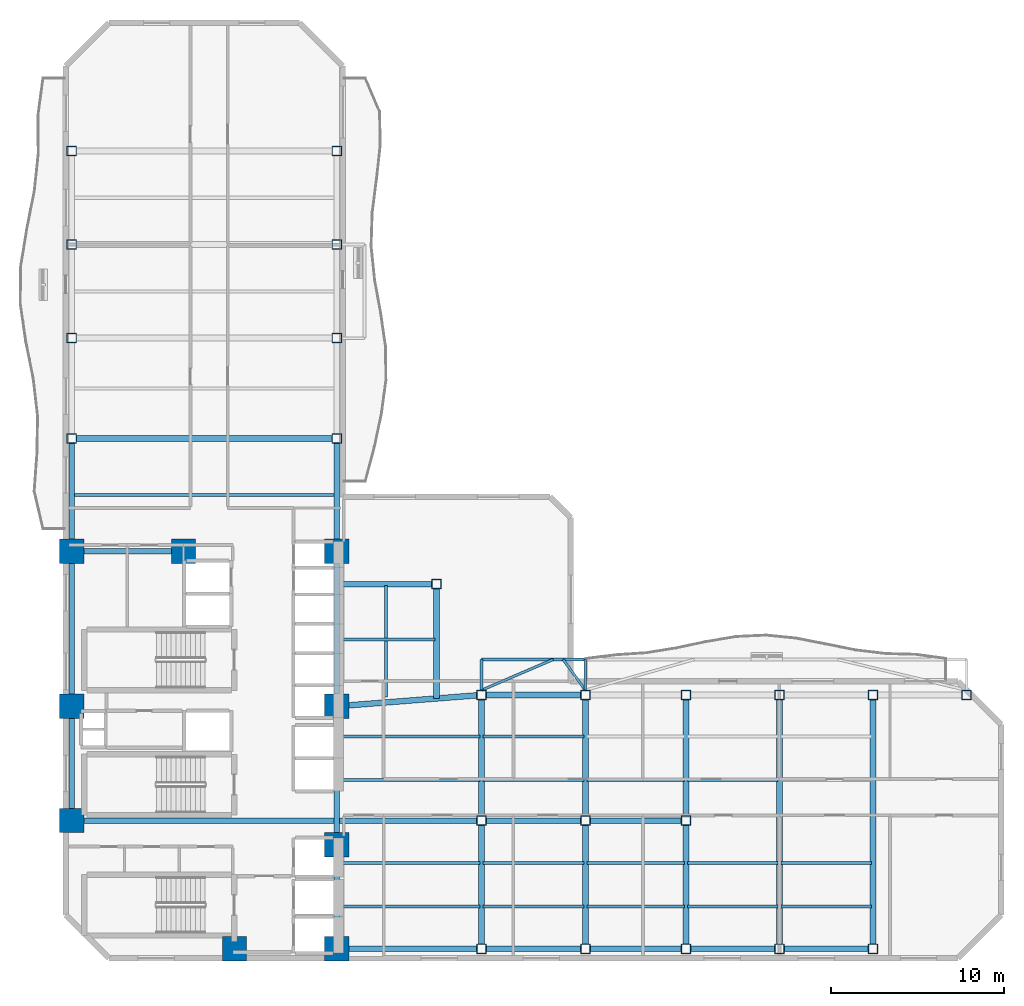
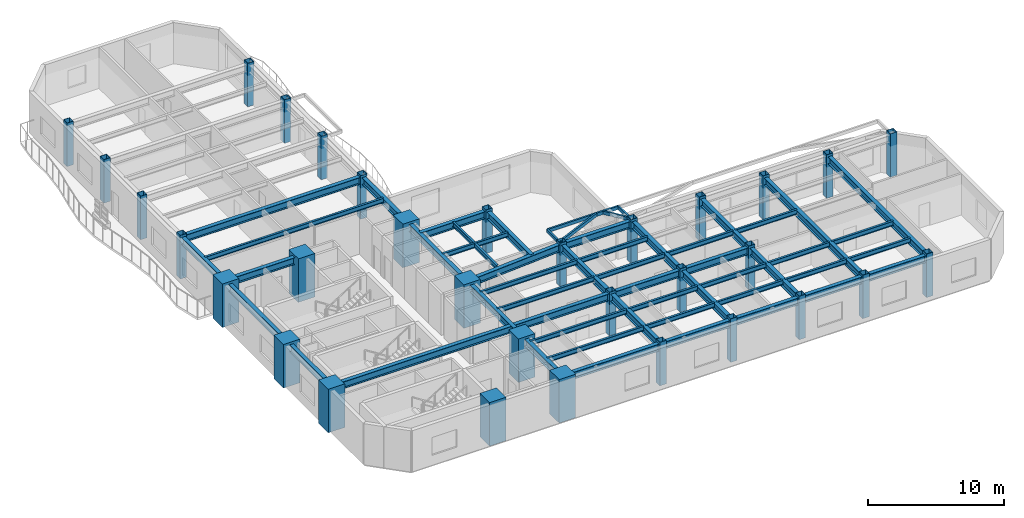
# One storey, part 1 of 10: 53 beams, 32 columns.
"""IFC4 building model written with IfcOpenShell, lengths in metres."""

from ifc_helpers import new_model, si_unit, direction, frame, origin, origin_2d, place, context, subcontext, project, spatial, rectangle, hollow_rectangle, i_section, extrude, material, material_profile, profile_set, type_object, element, save


model = new_model("IFC4")

# Units and contexts
model_context = context("Model", 3, precision=1e-05, world=origin(), true_north=direction((0.0, 1.0)))
body_context = subcontext(model_context, "Body", "Model", "MODEL_VIEW")
ifc_project = project(units=[si_unit("LENGTHUNIT", "METRE"), si_unit("AREAUNIT", "SQUARE_METRE"), si_unit("VOLUMEUNIT", "CUBIC_METRE"), si_unit("PLANEANGLEUNIT", "RADIAN"), si_unit("MASSUNIT", "GRAM", prefix="KILO")], contexts=[model_context])

# Site, building, storey
site_placement = place(None, origin())
site = spatial("IfcSite", under=ifc_project, at=site_placement, CompositionType="ELEMENT")
building_placement = place(site_placement, origin())
building = spatial("IfcBuilding", under=site, at=building_placement, Name="Mawjaban Terraces University", CompositionType="ELEMENT")
storey_placement = place(building_placement, frame((0.0, 0.0, 66.10009765625)))
storey = spatial("IfcBuildingStorey", under=building, at=storey_placement, Name="L15", CompositionType="ELEMENT", Elevation=66.10009765625)

# Columns
ifc_material_1 = material(Name="Concrete C70/85", Category="concrete")
ifc_material_profile_1 = material_profile(ifc_material_1, rectangle(XDim=1.39990234375, YDim=1.39990234375, at=origin_2d()), Name="RC1400X1400")
ifc_profile_set_1 = profile_set([ifc_material_profile_1], Name="Concrete C70/85")
column_type_1 = type_object("IfcColumnType", Name="Col_RC1400X1400", PredefinedType="COLUMN", material=ifc_profile_set_1)
for number, where, z_axis, x_axis, name in (
    (1, (31.75, 0.550048828125, 0.0), (0.0, 0.0, 1.0), (1.0, 0.0, 0.0), "L15 Column CC2"),
    (2, (37.64990234375, 0.550048828125, 0.0), (0.0, 0.0, 1.0), (1.0, 0.0, 0.0), "L15 Column CC3"),
    (3, (22.35009765625, 7.949951171875, 0.0), (0.0, 0.0, 1.0), (1.0, 0.0, 0.0), "L15 Column CC4"),
    (4, (37.64990234375, 6.550048828125, 0.0), (0.0, 0.0, 1.0), (1.0, 0.0, 0.0), "L15 Column CC5"),
    (5, (22.35009765625, 14.550048828125, 0.0), (0.0, 0.0, 1.0), (1.0, 0.0, 0.0), "L15 Column CC6"),
    (6, (37.64990234375, 14.550048828125, 0.0), (0.0, 0.0, 1.0), (1.0, 0.0, 0.0), "L15 Column CC7"),
    (7, (22.35009765625, 23.5, 0.0), (0.0, 0.0, 1.0), (1.0, 0.0, 0.0), "L15 Column CC8"),
    (8, (28.800048828125, 23.5, 0.0), (0.0, 0.0, 1.0), (1.0, 0.0, 0.0), "L15 Column CC9"),
    (9, (37.64990234375, 23.5, 0.0), (0.0, 0.0, 1.0), (1.0, 0.0, 0.0), "L15 Column CC10"),
):
    element("IfcColumn", number, at=place(storey_placement, frame(where, z_axis=z_axis, x_axis=x_axis)), inside=storey, type_object=column_type_1, Name=name, PredefinedType="COLUMN", context=body_context, shape_type="SweptSolid", body=[
        extrude(rectangle(XDim=1.39990234375, YDim=1.39990234375, at=origin_2d()), origin(), (0.0, 0.0, 1.0), 3.89990234375),
    ])
ifc_material_2 = material(Name="Steel EN 10210-1 S355J2H", Category="steel")
ifc_material_profile_2 = material_profile(ifc_material_2, hollow_rectangle(XDim=0.550048828125, YDim=0.550048828125, WallThickness=0.02490234375, at=origin_2d()), Name="SHS550X550X25")
ifc_profile_set_2 = profile_set([ifc_material_profile_2], Name="Steel EN 10210-1 S355J2H")
column_type_2 = type_object("IfcColumnType", Name="Col_SHS550X550X25", PredefinedType="COLUMN", material=ifc_profile_set_2)
for number, where, z_axis, x_axis, name in (
    (10, (46.0, 0.550048828125, 0.0), (0.0, 0.0, 1.0), (1.0, 0.0, 0.0), "L15 Column TE-460-005"),
    (11, (46.0, 7.949951171875, 0.0), (0.0, 0.0, 1.0), (1.0, 0.0, 0.0), "L15 Column TE-460-080"),
    (12, (46.0, 15.199951171875, 0.0), (0.0, 0.0, 1.0), (1.0, 0.0, 0.0), "L15 Column TE-460-152"),
    (13, (52.0, 0.550048828125, 0.0), (0.0, 0.0, 1.0), (1.0, 0.0, 0.0), "L15 Column TE-520-005"),
    (14, (52.0, 7.949951171875, 0.0), (0.0, 0.0, 1.0), (1.0, 0.0, 0.0), "L15 Column TE-520-080"),
    (15, (52.0, 15.199951171875, 0.0), (0.0, 0.0, 1.0), (1.0, 0.0, 0.0), "L15 Column TE-520-152"),
    (16, (57.800048828125, 0.550048828125, 0.0), (0.0, 0.0, 1.0), (1.0, 0.0, 0.0), "L15 Column TE-578-005"),
    (17, (57.800048828125, 7.949951171875, 0.0), (0.0, 0.0, 1.0), (1.0, 0.0, 0.0), "L15 Column TE-578-080"),
    (18, (57.800048828125, 15.199951171875, 0.0), (0.0, 0.0, 1.0), (1.0, 0.0, 0.0), "L15 Column TE-578-152"),
    (19, (63.199951171875, 0.550048828125, 0.0), (0.0, 0.0, 1.0), (1.0, 0.0, 0.0), "L15 Column TE-632-005"),
    (20, (63.199951171875, 15.199951171875, 0.0), (0.0, 0.0, 1.0), (1.0, 0.0, 0.0), "L15 Column TE-632-152"),
    (21, (68.60009765625, 0.550048828125, 0.0), (0.0, 0.0, 1.0), (1.0, 0.0, 0.0), "L15 Column TE-686-005"),
    (22, (68.60009765625, 15.199951171875, 0.0), (0.0, 0.0, 1.0), (1.0, 0.0, 0.0), "L15 Column TE-686-152"),
    (23, (74.0, 15.199951171875, 0.0), (0.0, 0.0, 1.0), (1.0, 0.0, 0.0), "L15 Column TE-740-152"),
    (24, (22.35009765625, 30.0, 0.0), (0.0, 0.0, 1.0), (1.0, 0.0, 0.0), "L15 Column TN-223-300"),
    (25, (37.64990234375, 30.0, 0.0), (0.0, 0.0, 1.0), (1.0, 0.0, 0.0), "L15 Column TN-376-300"),
    (26, (22.35009765625, 35.800048828125, 0.0), (0.0, 0.0, 1.0), (1.0, 0.0, 0.0), "L15 Column TN-223-358"),
    (27, (37.64990234375, 35.800048828125, 0.0), (0.0, 0.0, 1.0), (1.0, 0.0, 0.0), "L15 Column TN-376-358"),
    (28, (22.35009765625, 41.199951171875, 0.0), (0.0, 0.0, 1.0), (1.0, 0.0, 0.0), "L15 Column TN-223-412"),
    (29, (37.64990234375, 41.199951171875, 0.0), (0.0, 0.0, 1.0), (1.0, 0.0, 0.0), "L15 Column TN-376-412"),
    (30, (22.35009765625, 46.60009765625, 0.0), (0.0, 0.0, 1.0), (1.0, 0.0, 0.0), "L15 Column TN-223-466"),
    (31, (37.64990234375, 46.60009765625, 0.0), (0.0, 0.0, 1.0), (1.0, 0.0, 0.0), "L15 Column TN-376-466"),
    (32, (43.39990234375, 21.60009765625, 0.0), (0.0, 0.0, 1.0), (1.0, 0.0, 0.0), "L15 Column TS-434-216"),
):
    element("IfcColumn", number, at=place(storey_placement, frame(where, z_axis=z_axis, x_axis=x_axis)), inside=storey, type_object=column_type_2, Name=name, PredefinedType="COLUMN", context=body_context, shape_type="SweptSolid", body=[
        extrude(hollow_rectangle(XDim=0.550048828125, YDim=0.550048828125, WallThickness=0.02490234375, at=origin_2d()), origin(), (0.0, 0.0, 1.0), 3.89990234375),
    ])

# Beams
ifc_material_profile_3 = material_profile(ifc_material_2, hollow_rectangle(XDim=0.14990234375, YDim=0.300048828125, WallThickness=0.012451171875, at=origin_2d()), Name="RHS300X150X12.5")
ifc_profile_set_3 = profile_set([ifc_material_profile_3], Name="Steel EN 10210-1 S355J2H")
beam_type_1 = type_object("IfcBeamType", Name="BalconyCantileverSpandrel_RHS", PredefinedType="SPANDREL", material=ifc_profile_set_3)
for number, where, z_axis, x_axis, name in (
    (33, (52.0, 15.47509765625, 3.539794921875), (0.0, 1.0, 0.0), (-1.0, 0.0, 0.0), "L15 Exterior Outrigger BAL-L16-N.1"),
    (34, (46.0, 15.47509765625, 3.539794921875), (0.0, 1.0, 0.0), (-1.0, 0.0, 0.0), "L15 Exterior Outrigger TER-L16-CLIMB.1"),
):
    element("IfcBeam", number, at=place(storey_placement, frame(where, z_axis=z_axis, x_axis=x_axis)), inside=storey, type_object=beam_type_1, Name=name, PredefinedType="SPANDREL", context=body_context, shape_type="SweptSolid", body=[
        extrude(hollow_rectangle(XDim=0.14990234375, YDim=0.300048828125, WallThickness=0.012451171875, at=origin_2d()), origin(), (0.0, 0.0, 1.0), 1.77490234375),
    ])
beam_1_placement = place(storey_placement, frame((46.0, 17.25, 3.539794921875), z_axis=(1.0, 0.0, 0.0), x_axis=(0.0, 1.0, 0.0)))
element("IfcBeam", 35, at=beam_1_placement, inside=storey, type_object=beam_type_1, Name="L15 Exterior Edge Spandrel TER-L16-CLIMB", PredefinedType="SPANDREL", context=body_context, shape_type="SweptSolid", body=[
    extrude(hollow_rectangle(XDim=0.14990234375, YDim=0.300048828125, WallThickness=0.012451171875, at=origin_2d()), origin(), (0.0, 0.0, 1.0), 6.0),
])
beam_2_placement = place(storey_placement, frame((46.0, 15.47509765625, 3.539794921875), z_axis=(0.918923185787, 0.394436533074, 0.0), x_axis=(-0.394436533074, 0.918923185787, 0.0)))
element("IfcBeam", 36, at=beam_2_placement, inside=storey, type_object=beam_type_1, Name="L15 Exterior Diagonal Strut TER-L16-CLIMB.1", PredefinedType="SPANDREL", context=body_context, shape_type="SweptSolid", body=[
    extrude(hollow_rectangle(XDim=0.14990234375, YDim=0.300048828125, WallThickness=0.012451171875, at=origin_2d()), origin(), (0.0, 0.0, 1.0), 4.499755859375),
])
beam_3_placement = place(storey_placement, frame((52.0, 15.47509765625, 3.539794921875), z_axis=(-0.586401429164, 0.810020594722, 0.0), x_axis=(-0.810020594722, -0.586401429164, 0.0)))
element("IfcBeam", 37, at=beam_3_placement, inside=storey, type_object=beam_type_1, Name="L15 Exterior Diagonal Strut TER-L16-CLIMB.2", PredefinedType="SPANDREL", context=body_context, shape_type="SweptSolid", body=[
    extrude(hollow_rectangle(XDim=0.14990234375, YDim=0.300048828125, WallThickness=0.012451171875, at=origin_2d()), origin(), (0.0, 0.0, 1.0), 2.191162109375),
])
ifc_material_3 = material(Name="Steel ASTM A572 Grade 50", Category="steel")
ifc_material_profile_4 = material_profile(ifc_material_3, i_section(OverallWidth=0.3291015625, OverallDepth=0.635009765625, WebThickness=0.017822265625, FlangeThickness=0.031005859375, at=origin_2d()), Name="W610X241")
ifc_profile_set_4 = profile_set([ifc_material_profile_4], Name="Steel ASTM A572 Grade 50")
beam_type_2 = type_object("IfcBeamType", Name="Beam_B_W610X241", PredefinedType="BEAM", material=ifc_profile_set_4)
beam_4_placement = place(storey_placement, frame((38.35009765625, 0.550048828125, 3.372802734375), z_axis=(1.0, 0.0, 0.0), x_axis=(0.0, 1.0, 0.0)))
element("IfcBeam", 38, at=beam_4_placement, inside=storey, type_object=beam_type_2, Name="L15 Beam BM-L15-EW-01", PredefinedType="BEAM", context=body_context, shape_type="SweptSolid", body=[
    extrude(i_section(OverallWidth=0.3291015625, OverallDepth=0.635009765625, WebThickness=0.017822265625, FlangeThickness=0.031005859375, at=origin_2d()), origin(), (0.0, 0.0, 1.0), 7.375),
])
beam_5_placement = place(storey_placement, frame((46.27490234375, 0.550048828125, 3.372802734375), z_axis=(1.0, 0.0, 0.0), x_axis=(0.0, 1.0, 0.0)))
element("IfcBeam", 39, at=beam_5_placement, inside=storey, type_object=beam_type_2, Name="L15 Beam BM-L15-EW-02", PredefinedType="BEAM", context=body_context, shape_type="SweptSolid", body=[
    extrude(i_section(OverallWidth=0.3291015625, OverallDepth=0.635009765625, WebThickness=0.017822265625, FlangeThickness=0.031005859375, at=origin_2d()), origin(), (0.0, 0.0, 1.0), 5.4501953125),
])
beam_6_placement = place(storey_placement, frame((52.27490234375, 0.550048828125, 3.372802734375), z_axis=(1.0, 0.0, 0.0), x_axis=(0.0, 1.0, 0.0)))
element("IfcBeam", 40, at=beam_6_placement, inside=storey, type_object=beam_type_2, Name="L15 Beam BM-L15-EW-03", PredefinedType="BEAM", context=body_context, shape_type="SweptSolid", body=[
    extrude(i_section(OverallWidth=0.3291015625, OverallDepth=0.635009765625, WebThickness=0.017822265625, FlangeThickness=0.031005859375, at=origin_2d()), origin(), (0.0, 0.0, 1.0), 5.25),
])
beam_7_placement = place(storey_placement, frame((58.074951171875, 0.550048828125, 3.372802734375), z_axis=(1.0, 0.0, 0.0), x_axis=(0.0, 1.0, 0.0)))
element("IfcBeam", 41, at=beam_7_placement, inside=storey, type_object=beam_type_2, Name="L15 Beam BM-L15-EW-04", PredefinedType="BEAM", context=body_context, shape_type="SweptSolid", body=[
    extrude(i_section(OverallWidth=0.3291015625, OverallDepth=0.635009765625, WebThickness=0.017822265625, FlangeThickness=0.031005859375, at=origin_2d()), origin(), (0.0, 0.0, 1.0), 4.85009765625),
])
beam_8_placement = place(storey_placement, frame((63.47509765625, 0.550048828125, 3.372802734375), z_axis=(1.0, 0.0, 0.0), x_axis=(0.0, 1.0, 0.0)))
element("IfcBeam", 42, at=beam_8_placement, inside=storey, type_object=beam_type_2, Name="L15 Beam BM-L15-EW-05", PredefinedType="BEAM", context=body_context, shape_type="SweptSolid", body=[
    extrude(i_section(OverallWidth=0.3291015625, OverallDepth=0.635009765625, WebThickness=0.017822265625, FlangeThickness=0.031005859375, at=origin_2d()), origin(), (0.0, 0.0, 1.0), 4.849853515625),
])
beam_9_placement = place(storey_placement, frame((23.050048828125, 7.949951171875, 3.372802734375), z_axis=(1.0, 0.0, 0.0), x_axis=(0.0, 1.0, 0.0)))
element("IfcBeam", 43, at=beam_9_placement, inside=storey, type_object=beam_type_2, Name="L15 Beam BM-L15-EW-06", PredefinedType="BEAM", context=body_context, shape_type="SweptSolid", body=[
    extrude(i_section(OverallWidth=0.3291015625, OverallDepth=0.635009765625, WebThickness=0.017822265625, FlangeThickness=0.031005859375, at=origin_2d()), origin(), (0.0, 0.0, 1.0), 22.675048828125),
])
beam_10_placement = place(storey_placement, frame((46.27490234375, 7.949951171875, 3.372802734375), z_axis=(1.0, 0.0, 0.0), x_axis=(0.0, 1.0, 0.0)))
element("IfcBeam", 44, at=beam_10_placement, inside=storey, type_object=beam_type_2, Name="L15 Beam BM-L15-EW-07", PredefinedType="BEAM", context=body_context, shape_type="SweptSolid", body=[
    extrude(i_section(OverallWidth=0.3291015625, OverallDepth=0.635009765625, WebThickness=0.017822265625, FlangeThickness=0.031005859375, at=origin_2d()), origin(), (0.0, 0.0, 1.0), 5.4501953125),
])
beam_11_placement = place(storey_placement, frame((52.27490234375, 7.949951171875, 3.372802734375), z_axis=(1.0, 0.0, 0.0), x_axis=(0.0, 1.0, 0.0)))
element("IfcBeam", 45, at=beam_11_placement, inside=storey, type_object=beam_type_2, Name="L15 Beam BM-L15-EW-08", PredefinedType="BEAM", context=body_context, shape_type="SweptSolid", body=[
    extrude(i_section(OverallWidth=0.3291015625, OverallDepth=0.635009765625, WebThickness=0.017822265625, FlangeThickness=0.031005859375, at=origin_2d()), origin(), (0.0, 0.0, 1.0), 5.25),
])
beam_12_placement = place(storey_placement, frame((46.27490234375, 15.199951171875, 3.372802734375), z_axis=(1.0, 0.0, 0.0), x_axis=(0.0, 1.0, 0.0)))
element("IfcBeam", 46, at=beam_12_placement, inside=storey, type_object=beam_type_2, Name="L15 Beam BM-L15-EW-09", PredefinedType="BEAM", context=body_context, shape_type="SweptSolid", body=[
    extrude(i_section(OverallWidth=0.3291015625, OverallDepth=0.635009765625, WebThickness=0.017822265625, FlangeThickness=0.031005859375, at=origin_2d()), origin(), (0.0, 0.0, 1.0), 5.4501953125),
])
beam_13_placement = place(storey_placement, frame((23.050048828125, 23.5, 3.372802734375), z_axis=(1.0, 0.0, 0.0), x_axis=(0.0, 1.0, 0.0)))
element("IfcBeam", 47, at=beam_13_placement, inside=storey, type_object=beam_type_2, Name="L15 Beam BM-L15-EW-14", PredefinedType="BEAM", context=body_context, shape_type="SweptSolid", body=[
    extrude(i_section(OverallWidth=0.3291015625, OverallDepth=0.635009765625, WebThickness=0.017822265625, FlangeThickness=0.031005859375, at=origin_2d()), origin(), (0.0, 0.0, 1.0), 5.050048828125),
])
beam_14_placement = place(storey_placement, frame((22.625, 30.0, 3.372802734375), z_axis=(1.0, 0.0, 0.0), x_axis=(0.0, 1.0, 0.0)))
element("IfcBeam", 48, at=beam_14_placement, inside=storey, type_object=beam_type_2, Name="L15 Beam BM-L15-EW-15", PredefinedType="BEAM", context=body_context, shape_type="SweptSolid", body=[
    extrude(i_section(OverallWidth=0.3291015625, OverallDepth=0.635009765625, WebThickness=0.017822265625, FlangeThickness=0.031005859375, at=origin_2d()), origin(), (0.0, 0.0, 1.0), 14.75),
])
beam_15_placement = place(storey_placement, frame((22.35009765625, 8.64990234375, 3.372802734375), z_axis=(0.0, 1.0, 0.0), x_axis=(-1.0, 0.0, 0.0)))
element("IfcBeam", 49, at=beam_15_placement, inside=storey, type_object=beam_type_2, Name="L15 Beam BM-L15-NS-01", PredefinedType="BEAM", context=body_context, shape_type="SweptSolid", body=[
    extrude(i_section(OverallWidth=0.3291015625, OverallDepth=0.635009765625, WebThickness=0.017822265625, FlangeThickness=0.031005859375, at=origin_2d()), origin(), (0.0, 0.0, 1.0), 5.2001953125),
])
beam_16_placement = place(storey_placement, frame((22.35009765625, 15.25, 3.372802734375), z_axis=(0.0, 1.0, 0.0), x_axis=(-1.0, 0.0, 0.0)))
element("IfcBeam", 50, at=beam_16_placement, inside=storey, type_object=beam_type_2, Name="L15 Beam BM-L15-NS-02", PredefinedType="BEAM", context=body_context, shape_type="SweptSolid", body=[
    extrude(i_section(OverallWidth=0.3291015625, OverallDepth=0.635009765625, WebThickness=0.017822265625, FlangeThickness=0.031005859375, at=origin_2d()), origin(), (0.0, 0.0, 1.0), 7.550048828125),
])
beam_17_placement = place(storey_placement, frame((22.35009765625, 24.199951171875, 3.372802734375), z_axis=(0.0, 1.0, 0.0), x_axis=(-1.0, 0.0, 0.0)))
element("IfcBeam", 51, at=beam_17_placement, inside=storey, type_object=beam_type_2, Name="L15 Beam BM-L15-NS-03", PredefinedType="BEAM", context=body_context, shape_type="SweptSolid", body=[
    extrude(i_section(OverallWidth=0.3291015625, OverallDepth=0.635009765625, WebThickness=0.017822265625, FlangeThickness=0.031005859375, at=origin_2d()), origin(), (0.0, 0.0, 1.0), 5.525146484375),
])
beam_18_placement = place(storey_placement, frame((37.64990234375, 1.25, 3.372802734375), z_axis=(0.0, 1.0, 0.0), x_axis=(-1.0, 0.0, 0.0)))
element("IfcBeam", 52, at=beam_18_placement, inside=storey, type_object=beam_type_2, Name="L15 Beam BM-L15-NS-07", PredefinedType="BEAM", context=body_context, shape_type="SweptSolid", body=[
    extrude(i_section(OverallWidth=0.3291015625, OverallDepth=0.635009765625, WebThickness=0.017822265625, FlangeThickness=0.031005859375, at=origin_2d()), origin(), (0.0, 0.0, 1.0), 4.60009765625),
])
beam_19_placement = place(storey_placement, frame((37.64990234375, 7.25, 3.372802734375), z_axis=(0.0, 1.0, 0.0), x_axis=(-1.0, 0.0, 0.0)))
element("IfcBeam", 53, at=beam_19_placement, inside=storey, type_object=beam_type_2, Name="L15 Beam BM-L15-NS-08", PredefinedType="BEAM", context=body_context, shape_type="SweptSolid", body=[
    extrude(i_section(OverallWidth=0.3291015625, OverallDepth=0.635009765625, WebThickness=0.017822265625, FlangeThickness=0.031005859375, at=origin_2d()), origin(), (0.0, 0.0, 1.0), 6.60009765625),
])
beam_20_placement = place(storey_placement, frame((37.64990234375, 15.25, 3.372802734375), z_axis=(0.0, 1.0, 0.0), x_axis=(-1.0, 0.0, 0.0)))
element("IfcBeam", 54, at=beam_20_placement, inside=storey, type_object=beam_type_2, Name="L15 Beam BM-L15-NS-09", PredefinedType="BEAM", context=body_context, shape_type="SweptSolid", body=[
    extrude(i_section(OverallWidth=0.3291015625, OverallDepth=0.635009765625, WebThickness=0.017822265625, FlangeThickness=0.031005859375, at=origin_2d()), origin(), (0.0, 0.0, 1.0), 7.550048828125),
])
beam_21_placement = place(storey_placement, frame((37.64990234375, 24.199951171875, 3.372802734375), z_axis=(0.0, 1.0, 0.0), x_axis=(-1.0, 0.0, 0.0)))
element("IfcBeam", 55, at=beam_21_placement, inside=storey, type_object=beam_type_2, Name="L15 Beam BM-L15-NS-10", PredefinedType="BEAM", context=body_context, shape_type="SweptSolid", body=[
    extrude(i_section(OverallWidth=0.3291015625, OverallDepth=0.635009765625, WebThickness=0.017822265625, FlangeThickness=0.031005859375, at=origin_2d()), origin(), (0.0, 0.0, 1.0), 5.525146484375),
])
beam_22_placement = place(storey_placement, frame((46.0, 0.824951171875, 3.372802734375), z_axis=(0.0, 1.0, 0.0), x_axis=(-1.0, 0.0, 0.0)))
element("IfcBeam", 56, at=beam_22_placement, inside=storey, type_object=beam_type_2, Name="L15 Beam BM-L15-NS-14", PredefinedType="BEAM", context=body_context, shape_type="SweptSolid", body=[
    extrude(i_section(OverallWidth=0.3291015625, OverallDepth=0.635009765625, WebThickness=0.017822265625, FlangeThickness=0.031005859375, at=origin_2d()), origin(), (0.0, 0.0, 1.0), 6.85009765625),
])
beam_23_placement = place(storey_placement, frame((46.0, 8.22509765625, 3.372802734375), z_axis=(0.0, 1.0, 0.0), x_axis=(-1.0, 0.0, 0.0)))
element("IfcBeam", 57, at=beam_23_placement, inside=storey, type_object=beam_type_2, Name="L15 Beam BM-L15-NS-15", PredefinedType="BEAM", context=body_context, shape_type="SweptSolid", body=[
    extrude(i_section(OverallWidth=0.3291015625, OverallDepth=0.635009765625, WebThickness=0.017822265625, FlangeThickness=0.031005859375, at=origin_2d()), origin(), (0.0, 0.0, 1.0), 6.699951171875),
])
beam_24_placement = place(storey_placement, frame((52.0, 0.824951171875, 3.372802734375), z_axis=(0.0, 1.0, 0.0), x_axis=(-1.0, 0.0, 0.0)))
element("IfcBeam", 58, at=beam_24_placement, inside=storey, type_object=beam_type_2, Name="L15 Beam BM-L15-NS-16", PredefinedType="BEAM", context=body_context, shape_type="SweptSolid", body=[
    extrude(i_section(OverallWidth=0.3291015625, OverallDepth=0.635009765625, WebThickness=0.017822265625, FlangeThickness=0.031005859375, at=origin_2d()), origin(), (0.0, 0.0, 1.0), 6.85009765625),
])
beam_25_placement = place(storey_placement, frame((52.0, 8.22509765625, 3.372802734375), z_axis=(0.0, 1.0, 0.0), x_axis=(-1.0, 0.0, 0.0)))
element("IfcBeam", 59, at=beam_25_placement, inside=storey, type_object=beam_type_2, Name="L15 Beam BM-L15-NS-17", PredefinedType="BEAM", context=body_context, shape_type="SweptSolid", body=[
    extrude(i_section(OverallWidth=0.3291015625, OverallDepth=0.635009765625, WebThickness=0.017822265625, FlangeThickness=0.031005859375, at=origin_2d()), origin(), (0.0, 0.0, 1.0), 6.699951171875),
])
beam_26_placement = place(storey_placement, frame((57.800048828125, 0.824951171875, 3.372802734375), z_axis=(0.0, 1.0, 0.0), x_axis=(-1.0, 0.0, 0.0)))
element("IfcBeam", 60, at=beam_26_placement, inside=storey, type_object=beam_type_2, Name="L15 Beam BM-L15-NS-18", PredefinedType="BEAM", context=body_context, shape_type="SweptSolid", body=[
    extrude(i_section(OverallWidth=0.3291015625, OverallDepth=0.635009765625, WebThickness=0.017822265625, FlangeThickness=0.031005859375, at=origin_2d()), origin(), (0.0, 0.0, 1.0), 6.85009765625),
])
beam_27_placement = place(storey_placement, frame((57.800048828125, 8.22509765625, 3.372802734375), z_axis=(0.0, 1.0, 0.0), x_axis=(-1.0, 0.0, 0.0)))
element("IfcBeam", 61, at=beam_27_placement, inside=storey, type_object=beam_type_2, Name="L15 Beam BM-L15-NS-19", PredefinedType="BEAM", context=body_context, shape_type="SweptSolid", body=[
    extrude(i_section(OverallWidth=0.3291015625, OverallDepth=0.635009765625, WebThickness=0.017822265625, FlangeThickness=0.031005859375, at=origin_2d()), origin(), (0.0, 0.0, 1.0), 6.699951171875),
])
for number, where, z_axis, x_axis, name in (
    (62, (63.199951171875, 0.824951171875, 3.372802734375), (0.0, 1.0, 0.0), (-1.0, 0.0, 0.0), "L15 Beam BM-L15-NS-20"),
    (63, (68.60009765625, 0.824951171875, 3.372802734375), (0.0, 1.0, 0.0), (-1.0, 0.0, 0.0), "L15 Beam BM-L15-NS-21"),
):
    element("IfcBeam", number, at=place(storey_placement, frame(where, z_axis=z_axis, x_axis=x_axis)), inside=storey, type_object=beam_type_2, Name=name, PredefinedType="BEAM", context=body_context, shape_type="SweptSolid", body=[
        extrude(i_section(OverallWidth=0.3291015625, OverallDepth=0.635009765625, WebThickness=0.017822265625, FlangeThickness=0.031005859375, at=origin_2d()), origin(), (0.0, 0.0, 1.0), 14.10009765625),
    ])
beam_28_placement = place(storey_placement, frame((38.347900390625, 14.60400390625, 3.372802734375), z_axis=(0.996977531908, 0.077690416851, 0.0), x_axis=(-0.077690416851, 0.996977531908, 0.0)))
element("IfcBeam", 64, at=beam_28_placement, inside=storey, type_object=beam_type_2, Name="L15 Beam BM-L15-CTIE", PredefinedType="BEAM", context=body_context, shape_type="SweptSolid", body=[
    extrude(i_section(OverallWidth=0.3291015625, OverallDepth=0.635009765625, WebThickness=0.017822265625, FlangeThickness=0.031005859375, at=origin_2d()), origin(), (0.0, 0.0, 1.0), 7.400634765625),
])
beam_29_placement = place(storey_placement, frame((37.679931640625, 21.60009765625, 3.372802734375), z_axis=(1.0, 0.0, 0.0), x_axis=(0.0, 1.0, 0.0)))
element("IfcBeam", 65, at=beam_29_placement, inside=storey, type_object=beam_type_2, Name="L15 Spur Tie Girder West", PredefinedType="BEAM", context=body_context, shape_type="SweptSolid", body=[
    extrude(i_section(OverallWidth=0.3291015625, OverallDepth=0.635009765625, WebThickness=0.017822265625, FlangeThickness=0.031005859375, at=origin_2d()), origin(), (0.0, 0.0, 1.0), 5.445068359375),
])
beam_30_placement = place(storey_placement, frame((43.39990234375, 15.0, 3.372802734375), z_axis=(0.0, 1.0, 0.0), x_axis=(-1.0, 0.0, 0.0)))
element("IfcBeam", 66, at=beam_30_placement, inside=storey, type_object=beam_type_2, Name="L15 Spur Tie Girder South", PredefinedType="BEAM", context=body_context, shape_type="SweptSolid", body=[
    extrude(i_section(OverallWidth=0.3291015625, OverallDepth=0.635009765625, WebThickness=0.017822265625, FlangeThickness=0.031005859375, at=origin_2d()), origin(), (0.0, 0.0, 1.0), 6.324951171875),
])
ifc_material_profile_5 = material_profile(ifc_material_3, i_section(OverallWidth=0.179931640625, OverallDepth=0.4130859375, WebThickness=0.009765625, FlangeThickness=0.01611328125, at=origin_2d()), Name="W410X74")
ifc_profile_set_5 = profile_set([ifc_material_profile_5], Name="Steel ASTM A572 Grade 50")
beam_type_3 = type_object("IfcBeamType", Name="Beam_J_W410X74", PredefinedType="JOIST", material=ifc_profile_set_5)
beam_31_placement = place(storey_placement, frame((37.72998046875, 3.0, 3.48388671875), z_axis=(1.0, 0.0, 0.0), x_axis=(0.0, 1.0, 0.0)))
element("IfcBeam", 67, at=beam_31_placement, inside=storey, type_object=beam_type_3, Name="L15 Composite Joist JST-L15-01", PredefinedType="JOIST", context=body_context, shape_type="SweptSolid", body=[
    extrude(i_section(OverallWidth=0.179931640625, OverallDepth=0.4130859375, WebThickness=0.009765625, FlangeThickness=0.01611328125, at=origin_2d()), origin(), (0.0, 0.0, 1.0), 8.18994140625),
])
beam_32_placement = place(storey_placement, frame((46.080078125, 3.0, 3.48388671875), z_axis=(1.0, 0.0, 0.0), x_axis=(0.0, 1.0, 0.0)))
element("IfcBeam", 68, at=beam_32_placement, inside=storey, type_object=beam_type_3, Name="L15 Composite Joist JST-L15-02", PredefinedType="JOIST", context=body_context, shape_type="SweptSolid", body=[
    extrude(i_section(OverallWidth=0.179931640625, OverallDepth=0.4130859375, WebThickness=0.009765625, FlangeThickness=0.01611328125, at=origin_2d()), origin(), (0.0, 0.0, 1.0), 5.83984375),
])
beam_33_placement = place(storey_placement, frame((52.080078125, 3.0, 3.48388671875), z_axis=(1.0, 0.0, 0.0), x_axis=(0.0, 1.0, 0.0)))
element("IfcBeam", 69, at=beam_33_placement, inside=storey, type_object=beam_type_3, Name="L15 Composite Joist JST-L15-03", PredefinedType="JOIST", context=body_context, shape_type="SweptSolid", body=[
    extrude(i_section(OverallWidth=0.179931640625, OverallDepth=0.4130859375, WebThickness=0.009765625, FlangeThickness=0.01611328125, at=origin_2d()), origin(), (0.0, 0.0, 1.0), 5.639892578125),
])
beam_34_placement = place(storey_placement, frame((57.8798828125, 3.0, 3.48388671875), z_axis=(1.0, 0.0, 0.0), x_axis=(0.0, 1.0, 0.0)))
element("IfcBeam", 70, at=beam_34_placement, inside=storey, type_object=beam_type_3, Name="L15 Composite Joist JST-L15-04", PredefinedType="JOIST", context=body_context, shape_type="SweptSolid", body=[
    extrude(i_section(OverallWidth=0.179931640625, OverallDepth=0.4130859375, WebThickness=0.009765625, FlangeThickness=0.01611328125, at=origin_2d()), origin(), (0.0, 0.0, 1.0), 5.240234375),
])
beam_35_placement = place(storey_placement, frame((63.280029296875, 3.0, 3.48388671875), z_axis=(1.0, 0.0, 0.0), x_axis=(0.0, 1.0, 0.0)))
element("IfcBeam", 71, at=beam_35_placement, inside=storey, type_object=beam_type_3, Name="L15 Composite Joist JST-L15-05", PredefinedType="JOIST", context=body_context, shape_type="SweptSolid", body=[
    extrude(i_section(OverallWidth=0.179931640625, OverallDepth=0.4130859375, WebThickness=0.009765625, FlangeThickness=0.01611328125, at=origin_2d()), origin(), (0.0, 0.0, 1.0), 5.239990234375),
])
beam_36_placement = place(storey_placement, frame((37.72998046875, 5.5, 3.48388671875), z_axis=(1.0, 0.0, 0.0), x_axis=(0.0, 1.0, 0.0)))
element("IfcBeam", 72, at=beam_36_placement, inside=storey, type_object=beam_type_3, Name="L15 Composite Joist JST-L15-06", PredefinedType="JOIST", context=body_context, shape_type="SweptSolid", body=[
    extrude(i_section(OverallWidth=0.179931640625, OverallDepth=0.4130859375, WebThickness=0.009765625, FlangeThickness=0.01611328125, at=origin_2d()), origin(), (0.0, 0.0, 1.0), 8.18994140625),
])
beam_37_placement = place(storey_placement, frame((46.080078125, 5.5, 3.48388671875), z_axis=(1.0, 0.0, 0.0), x_axis=(0.0, 1.0, 0.0)))
element("IfcBeam", 73, at=beam_37_placement, inside=storey, type_object=beam_type_3, Name="L15 Composite Joist JST-L15-07", PredefinedType="JOIST", context=body_context, shape_type="SweptSolid", body=[
    extrude(i_section(OverallWidth=0.179931640625, OverallDepth=0.4130859375, WebThickness=0.009765625, FlangeThickness=0.01611328125, at=origin_2d()), origin(), (0.0, 0.0, 1.0), 5.83984375),
])
beam_38_placement = place(storey_placement, frame((52.080078125, 5.5, 3.48388671875), z_axis=(1.0, 0.0, 0.0), x_axis=(0.0, 1.0, 0.0)))
element("IfcBeam", 74, at=beam_38_placement, inside=storey, type_object=beam_type_3, Name="L15 Composite Joist JST-L15-08", PredefinedType="JOIST", context=body_context, shape_type="SweptSolid", body=[
    extrude(i_section(OverallWidth=0.179931640625, OverallDepth=0.4130859375, WebThickness=0.009765625, FlangeThickness=0.01611328125, at=origin_2d()), origin(), (0.0, 0.0, 1.0), 5.639892578125),
])
beam_39_placement = place(storey_placement, frame((57.8798828125, 5.5, 3.48388671875), z_axis=(1.0, 0.0, 0.0), x_axis=(0.0, 1.0, 0.0)))
element("IfcBeam", 75, at=beam_39_placement, inside=storey, type_object=beam_type_3, Name="L15 Composite Joist JST-L15-09", PredefinedType="JOIST", context=body_context, shape_type="SweptSolid", body=[
    extrude(i_section(OverallWidth=0.179931640625, OverallDepth=0.4130859375, WebThickness=0.009765625, FlangeThickness=0.01611328125, at=origin_2d()), origin(), (0.0, 0.0, 1.0), 5.240234375),
])
beam_40_placement = place(storey_placement, frame((63.280029296875, 5.5, 3.48388671875), z_axis=(1.0, 0.0, 0.0), x_axis=(0.0, 1.0, 0.0)))
element("IfcBeam", 76, at=beam_40_placement, inside=storey, type_object=beam_type_3, Name="L15 Composite Joist JST-L15-10", PredefinedType="JOIST", context=body_context, shape_type="SweptSolid", body=[
    extrude(i_section(OverallWidth=0.179931640625, OverallDepth=0.4130859375, WebThickness=0.009765625, FlangeThickness=0.01611328125, at=origin_2d()), origin(), (0.0, 0.0, 1.0), 5.239990234375),
])
beam_41_placement = place(storey_placement, frame((37.72998046875, 10.300048828125, 3.48388671875), z_axis=(1.0, 0.0, 0.0), x_axis=(0.0, 1.0, 0.0)))
element("IfcBeam", 77, at=beam_41_placement, inside=storey, type_object=beam_type_3, Name="L15 Composite Joist JST-L15-11", PredefinedType="JOIST", context=body_context, shape_type="SweptSolid", body=[
    extrude(i_section(OverallWidth=0.179931640625, OverallDepth=0.4130859375, WebThickness=0.009765625, FlangeThickness=0.01611328125, at=origin_2d()), origin(), (0.0, 0.0, 1.0), 8.18994140625),
])
beam_42_placement = place(storey_placement, frame((46.080078125, 10.300048828125, 3.48388671875), z_axis=(1.0, 0.0, 0.0), x_axis=(0.0, 1.0, 0.0)))
element("IfcBeam", 78, at=beam_42_placement, inside=storey, type_object=beam_type_3, Name="L15 Composite Joist JST-L15-12", PredefinedType="JOIST", context=body_context, shape_type="SweptSolid", body=[
    extrude(i_section(OverallWidth=0.179931640625, OverallDepth=0.4130859375, WebThickness=0.009765625, FlangeThickness=0.01611328125, at=origin_2d()), origin(), (0.0, 0.0, 1.0), 5.83984375),
])
beam_43_placement = place(storey_placement, frame((52.080078125, 10.300048828125, 3.48388671875), z_axis=(1.0, 0.0, 0.0), x_axis=(0.0, 1.0, 0.0)))
element("IfcBeam", 79, at=beam_43_placement, inside=storey, type_object=beam_type_3, Name="L15 Composite Joist JST-L15-13", PredefinedType="JOIST", context=body_context, shape_type="SweptSolid", body=[
    extrude(i_section(OverallWidth=0.179931640625, OverallDepth=0.4130859375, WebThickness=0.009765625, FlangeThickness=0.01611328125, at=origin_2d()), origin(), (0.0, 0.0, 1.0), 5.639892578125),
])
beam_44_placement = place(storey_placement, frame((57.8798828125, 10.300048828125, 3.48388671875), z_axis=(1.0, 0.0, 0.0), x_axis=(0.0, 1.0, 0.0)))
element("IfcBeam", 80, at=beam_44_placement, inside=storey, type_object=beam_type_3, Name="L15 Composite Joist JST-L15-14", PredefinedType="JOIST", context=body_context, shape_type="SweptSolid", body=[
    extrude(i_section(OverallWidth=0.179931640625, OverallDepth=0.4130859375, WebThickness=0.009765625, FlangeThickness=0.01611328125, at=origin_2d()), origin(), (0.0, 0.0, 1.0), 5.240234375),
])
beam_45_placement = place(storey_placement, frame((37.72998046875, 12.800048828125, 3.48388671875), z_axis=(1.0, 0.0, 0.0), x_axis=(0.0, 1.0, 0.0)))
element("IfcBeam", 81, at=beam_45_placement, inside=storey, type_object=beam_type_3, Name="L15 Composite Joist JST-L15-16", PredefinedType="JOIST", context=body_context, shape_type="SweptSolid", body=[
    extrude(i_section(OverallWidth=0.179931640625, OverallDepth=0.4130859375, WebThickness=0.009765625, FlangeThickness=0.01611328125, at=origin_2d()), origin(), (0.0, 0.0, 1.0), 8.18994140625),
])
beam_46_placement = place(storey_placement, frame((46.080078125, 12.800048828125, 3.48388671875), z_axis=(1.0, 0.0, 0.0), x_axis=(0.0, 1.0, 0.0)))
element("IfcBeam", 82, at=beam_46_placement, inside=storey, type_object=beam_type_3, Name="L15 Composite Joist JST-L15-17", PredefinedType="JOIST", context=body_context, shape_type="SweptSolid", body=[
    extrude(i_section(OverallWidth=0.179931640625, OverallDepth=0.4130859375, WebThickness=0.009765625, FlangeThickness=0.01611328125, at=origin_2d()), origin(), (0.0, 0.0, 1.0), 5.83984375),
])
beam_47_placement = place(storey_placement, frame((37.72998046875, 18.39990234375, 3.48388671875), z_axis=(1.0, 0.0, 0.0), x_axis=(0.0, 1.0, 0.0)))
element("IfcBeam", 83, at=beam_47_placement, inside=storey, type_object=beam_type_3, Name="L15 Composite Joist JST-L15-21", PredefinedType="JOIST", context=body_context, shape_type="SweptSolid", body=[
    extrude(i_section(OverallWidth=0.179931640625, OverallDepth=0.4130859375, WebThickness=0.009765625, FlangeThickness=0.01611328125, at=origin_2d()), origin(), (0.0, 0.0, 1.0), 5.590087890625),
])
beam_48_placement = place(storey_placement, frame((22.429931640625, 26.75, 3.48388671875), z_axis=(1.0, 0.0, 0.0), x_axis=(0.0, 1.0, 0.0)))
element("IfcBeam", 84, at=beam_48_placement, inside=storey, type_object=beam_type_3, Name="L15 Composite Joist JST-L15-22", PredefinedType="JOIST", context=body_context, shape_type="SweptSolid", body=[
    extrude(i_section(OverallWidth=0.179931640625, OverallDepth=0.4130859375, WebThickness=0.009765625, FlangeThickness=0.01611328125, at=origin_2d()), origin(), (0.0, 0.0, 1.0), 15.14013671875),
])
beam_49_placement = place(storey_placement, frame((40.5, 15.080078125, 3.48388671875), z_axis=(0.0, 1.0, 0.0), x_axis=(-1.0, 0.0, 0.0)))
element("IfcBeam", 85, at=beam_49_placement, inside=storey, type_object=beam_type_3, Name="L15 Composite Joist JST-L15-NS-26", PredefinedType="JOIST", context=body_context, shape_type="SweptSolid", body=[
    extrude(i_section(OverallWidth=0.179931640625, OverallDepth=0.4130859375, WebThickness=0.009765625, FlangeThickness=0.01611328125, at=origin_2d()), origin(), (0.0, 0.0, 1.0), 6.43994140625),
])

save(model, "model.ifc")
